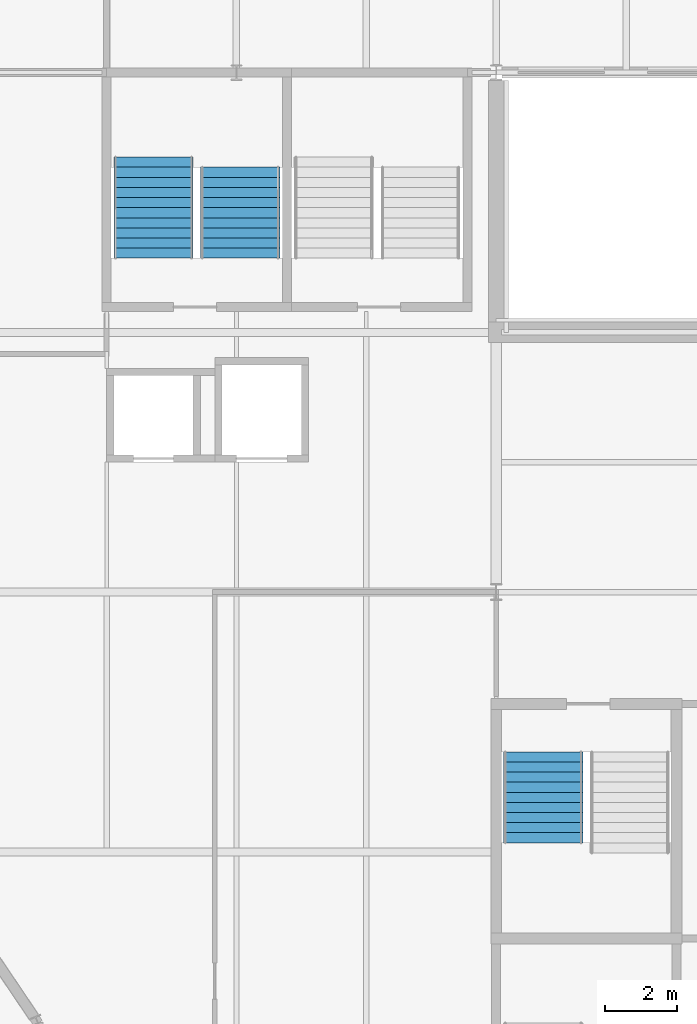
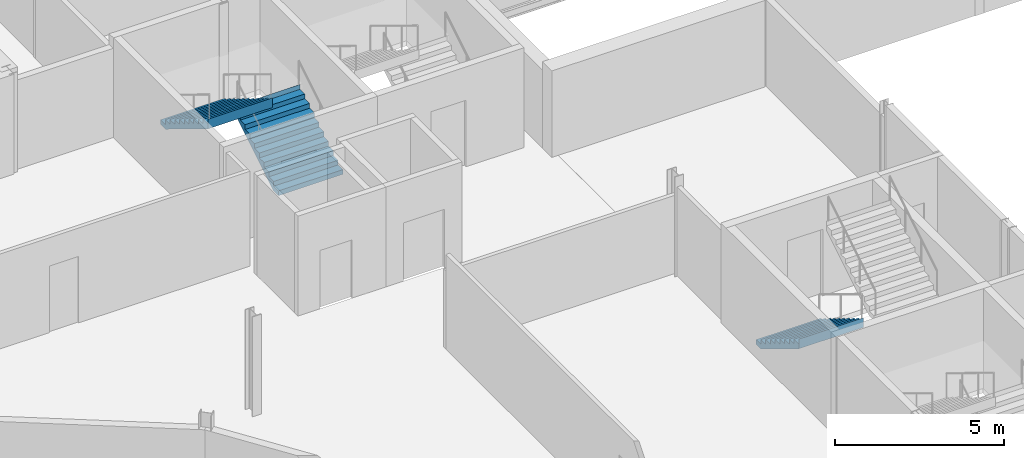
# One storey, part 71 of 90: 3 stair flights, 2 elements without a shape of their own.
"""IFC4 building model written with IfcOpenShell, lengths in metres."""

from ifc_helpers import new_model, si_unit, direction, frame, origin, place, context, subcontext, project, spatial, polyline, outline, extrude, material, type_object, element, aggregate, save


model = new_model("IFC4")

# Units and contexts
model_context = context("Model", 3, precision=1e-05, world=origin(), true_north=direction((0.0, 1.0)))
body_context = subcontext(model_context, "Body", "Model", "MODEL_VIEW")
ifc_project = project(units=[si_unit("LENGTHUNIT", "METRE"), si_unit("AREAUNIT", "SQUARE_METRE"), si_unit("VOLUMEUNIT", "CUBIC_METRE"), si_unit("PLANEANGLEUNIT", "RADIAN"), si_unit("MASSUNIT", "GRAM", prefix="KILO")], contexts=[model_context])

# Site, building, storey
site_placement = place(None, origin())
site = spatial("IfcSite", under=ifc_project, at=site_placement, CompositionType="ELEMENT")
building_placement = place(site_placement, origin())
building = spatial("IfcBuilding", under=site, at=building_placement, Name="Kupolbacken Congress Centre", CompositionType="ELEMENT")
storey_placement = place(building_placement, frame((0.0, 0.0, 3.60009765625)))
storey = spatial("IfcBuildingStorey", under=building, at=storey_placement, Name="L01", CompositionType="ELEMENT", Elevation=3.60009765625)

# Stair, stair flight
ifc_material_1 = material(Name="Concrete C30/37", Category="concrete")
stair_type = type_object("IfcStairType", Name="ST13 stair 2200", PredefinedType="TWO_STRAIGHT_RUN_STAIR", material=ifc_material_1)
stair_1_placement = place(storey_placement, origin())
stair_1 = element("IfcStair", 1, at=stair_1_placement, inside=storey, type_object=stair_type, Name="C/stair/PS1NE/L01", PredefinedType="NOTDEFINED")
ifc_material_2 = material(Name="Concrete C30/37", Category="concrete")
stair_flight_type_1 = type_object("IfcStairFlightType", Name="FL13 stair flight 2200 x 10 risers", PredefinedType="STRAIGHT", material=ifc_material_2)
stair_flight_1_placement = place(storey_placement, frame((72.10009765625, 117.2548828125, 0.0), z_axis=(0.0, 0.0, 1.0), x_axis=(0.0, 1.0, 0.0)))
stair_flight_1 = element("IfcStairFlight", 2, at=stair_flight_1_placement, type_object=stair_flight_type_1, Name="PS1NE flight 1", NumberOfRisers=10, NumberOfTreads=9, PredefinedType="STRAIGHT", RiserHeight=0.171428571, TreadLength=0.28, context=body_context, shape_type="SweptSolid", body=[
    extrude(outline(polyline([(0.0, 0.0), (0.0, 0.0009765625), (0.0, 0.002197265625), (0.0, 0.003173828125), (0.0, 0.004150390625), (0.0, 0.00537109375), (0.0, 0.00634765625), (0.0, 0.007568359375), (0.0, 0.008544921875), (0.0, 0.009521484375), (0.0, 0.0107421875), (0.0, 0.01171875), (0.0, 0.0126953125), (0.0, 0.013916015625), (0.0, 0.014892578125), (0.0, 0.015869140625), (0.0, 0.01708984375), (0.0, 0.01806640625), (0.0, 0.019287109375), (0.0, 0.020263671875), (0.0, 0.021240234375), (0.0, 0.0224609375), (0.0, 0.0234375), (0.0, 0.0244140625), (0.0, 0.025634765625), (0.0, 0.026611328125), (0.0, 0.027587890625), (0.0, 0.02880859375), (0.0, 0.02978515625), (0.0, 0.03076171875), (0.0, 0.031982421875), (0.0, 0.032958984375), (0.0, 0.0341796875), (0.0, 0.03515625), (0.0, 0.0361328125), (0.0, 0.037353515625), (0.0, 0.038330078125), (0.0, 0.039306640625), (0.0, 0.04052734375), (0.0, 0.04150390625), (0.0, 0.04248046875), (0.0, 0.043701171875), (0.0, 0.044677734375), (0.0, 0.0458984375), (0.0, 0.046875), (0.0, 0.0478515625), (0.0, 0.049072265625), (0.0, 0.050048828125), (0.0, 0.051025390625), (0.0, 0.05224609375), (0.0, 0.05322265625), (0.0, 0.05419921875), (0.0, 0.055419921875), (0.0, 0.056396484375), (0.0, 0.0576171875), (0.0, 0.05859375), (0.0, 0.0595703125), (0.0, 0.060791015625), (0.0, 0.061767578125), (0.0, 0.062744140625), (0.0, 0.06396484375), (0.0, 0.06494140625), (0.0, 0.06591796875), (0.0, 0.067138671875), (0.0, 0.068115234375), (0.0, 0.069091796875), (0.0, 0.0703125), (0.0, 0.0712890625), (0.0, 0.072509765625), (0.0, 0.073486328125), (0.0, 0.074462890625), (0.0, 0.07568359375), (0.0, 0.07666015625), (0.0, 0.07763671875), (0.0, 0.078857421875), (0.0, 0.079833984375), (0.0, 0.080810546875), (0.0, 0.08203125), (0.0, 0.0830078125), (0.0, 0.084228515625), (0.0, 0.085205078125), (0.0, 0.086181640625), (0.0, 0.08740234375), (0.0, 0.08837890625), (0.0, 0.08935546875), (0.0, 0.090576171875), (0.0, 0.091552734375), (0.0, 0.092529296875), (0.0, 0.09375), (0.0, 0.0947265625), (0.0, 0.095947265625), (0.0, 0.096923828125), (0.0, 0.097900390625), (0.0, 0.09912109375), (0.0, 0.10009765625), (0.0, 0.10107421875), (0.0, 0.102294921875), (0.0, 0.103271484375), (0.0, 0.104248046875), (0.0, 0.10546875), (0.0, 0.1064453125), (0.0, 0.107421875), (0.0, 0.108642578125), (0.0, 0.109619140625), (0.0, 0.11083984375), (0.0, 0.11181640625), (0.0, 0.11279296875), (0.0, 0.114013671875), (0.0, 0.114990234375), (0.0, 0.115966796875), (0.0, 0.1171875), (0.0, 0.1181640625), (0.0, 0.119140625), (0.0, 0.120361328125), (0.0, 0.121337890625), (0.0, 0.12255859375), (0.0, 0.12353515625), (0.0, 0.12451171875), (0.0, 0.125732421875), (0.0, 0.126708984375), (0.0, 0.127685546875), (0.0, 0.12890625), (0.0, 0.1298828125), (0.0, 0.130859375), (0.0, 0.132080078125), (0.0, 0.133056640625), (0.0, 0.13427734375), (0.0, 0.13525390625), (0.0, 0.13623046875), (0.0, 0.137451171875), (0.0, 0.138427734375), (0.0, 0.139404296875), (0.0, 0.140625), (0.0, 0.1416015625), (0.0, 0.142578125), (0.0, 0.143798828125), (0.0, 0.144775390625), (0.0, 0.145751953125), (0.0, 0.14697265625), (0.0, 0.14794921875), (0.0, 0.149169921875), (0.0, 0.150146484375), (0.0, 0.151123046875), (0.0, 0.15234375), (0.0, 0.1533203125), (0.0, 0.154296875), (0.0, 0.155517578125), (0.0, 0.156494140625), (0.0, 0.157470703125), (0.0, 0.15869140625), (0.0, 0.15966796875), (0.0, 0.160888671875), (0.0, 0.161865234375), (0.0, 0.162841796875), (0.0, 0.1640625), (0.0, 0.1650390625), (0.0, 0.166015625), (0.0, 0.167236328125), (0.0, 0.168212890625), (0.0, 0.169189453125), (0.0, 0.17041015625), (0.0, 0.17138671875), (0.280029296875, 0.17138671875), (0.280029296875, 0.3427734375), (0.56005859375, 0.3427734375), (0.56005859375, 0.514404296875), (0.840087890625, 0.514404296875), (0.840087890625, 0.685791015625), (1.1201171875, 0.685791015625), (1.1201171875, 0.857177734375), (1.39990234375, 0.857177734375), (1.39990234375, 1.028564453125), (1.679931640625, 1.028564453125), (1.679931640625, 1.199951171875), (1.9599609375, 1.199951171875), (1.9599609375, 1.371337890625), (2.239990234375, 1.371337890625), (2.239990234375, 1.54296875), (2.52001953125, 1.54296875), (2.52001953125, 1.71435546875), (2.52197265625, 1.71435546875), (2.52197265625, 1.712158203125), (2.52197265625, 1.7099609375), (2.52197265625, 1.707763671875), (2.52197265625, 1.70556640625), (2.52197265625, 1.70361328125), (2.52197265625, 1.701416015625), (2.52197265625, 1.69921875), (2.52197265625, 1.697021484375), (2.52197265625, 1.69482421875), (2.52197265625, 1.692626953125), (2.52197265625, 1.690673828125), (2.52197265625, 1.6884765625), (2.52197265625, 1.686279296875), (2.52197265625, 1.68408203125), (2.52197265625, 1.681884765625), (2.52197265625, 1.6796875), (2.52197265625, 1.677734375), (2.52197265625, 1.675537109375), (2.52197265625, 1.67333984375), (2.52197265625, 1.671142578125), (2.52197265625, 1.6689453125), (2.52197265625, 1.666748046875), (2.52197265625, 1.664794921875), (2.52197265625, 1.66259765625), (2.52197265625, 1.660400390625), (2.52197265625, 1.658203125), (2.52197265625, 1.656005859375), (2.52197265625, 1.65380859375), (2.52197265625, 1.65185546875), (2.52197265625, 1.649658203125), (2.52197265625, 1.6474609375), (2.52197265625, 1.645263671875), (2.52197265625, 1.64306640625), (2.52197265625, 1.640869140625), (2.52197265625, 1.638916015625), (2.52197265625, 1.63671875), (2.52197265625, 1.634521484375), (2.52197265625, 1.63232421875), (2.52197265625, 1.630126953125), (2.52197265625, 1.6279296875), (2.52197265625, 1.6259765625), (2.52197265625, 1.623779296875), (2.52197265625, 1.62158203125), (2.52197265625, 1.619384765625), (2.52197265625, 1.6171875), (2.52197265625, 1.614990234375), (2.52197265625, 1.613037109375), (2.52197265625, 1.61083984375), (2.52197265625, 1.608642578125), (2.52197265625, 1.6064453125), (2.52197265625, 1.604248046875), (2.52197265625, 1.60205078125), (2.52197265625, 1.60009765625), (2.52197265625, 1.597900390625), (2.52197265625, 1.595703125), (2.52197265625, 1.593505859375), (2.52197265625, 1.59130859375), (2.52197265625, 1.589111328125), (2.52197265625, 1.587158203125), (2.52197265625, 1.5849609375), (2.52197265625, 1.582763671875), (2.52197265625, 1.58056640625), (2.52197265625, 1.578369140625), (2.52197265625, 1.576171875), (2.52197265625, 1.57421875), (2.52197265625, 1.572021484375), (2.52197265625, 1.56982421875), (2.52197265625, 1.567626953125), (2.52197265625, 1.5654296875), (2.52197265625, 1.563232421875), (2.52197265625, 1.561279296875), (2.52197265625, 1.55908203125), (2.52197265625, 1.556884765625), (2.52197265625, 1.5546875), (2.52197265625, 1.552490234375), (2.52197265625, 1.55029296875), (2.52197265625, 1.54833984375), (2.52197265625, 1.546142578125), (2.52197265625, 1.5439453125), (2.52197265625, 1.541748046875), (2.52197265625, 1.53955078125), (2.52197265625, 1.537353515625), (2.52197265625, 1.535400390625), (2.52197265625, 1.533203125), (2.52197265625, 1.531005859375), (2.52197265625, 1.52880859375), (2.52197265625, 1.526611328125), (2.52197265625, 1.5244140625), (2.52197265625, 1.5224609375), (2.52197265625, 1.520263671875), (2.52197265625, 1.51806640625), (2.52197265625, 1.515869140625), (2.52197265625, 1.513671875), (2.52197265625, 1.511474609375), (2.52197265625, 1.509521484375), (2.52197265625, 1.50732421875), (2.52197265625, 1.505126953125), (2.52197265625, 1.5029296875), (2.52197265625, 1.500732421875), (2.52197265625, 1.49853515625), (2.52197265625, 1.49658203125), (2.52197265625, 1.494384765625), (2.52197265625, 1.4921875), (2.52197265625, 1.489990234375), (2.52197265625, 1.48779296875), (2.52197265625, 1.485595703125), (2.52197265625, 1.483642578125), (2.52197265625, 1.4814453125), (2.52197265625, 1.479248046875), (2.52197265625, 1.47705078125), (2.52197265625, 1.474853515625), (2.52197265625, 1.47265625), (2.52197265625, 1.470703125), (2.52197265625, 1.468505859375), (2.52197265625, 1.46630859375), (2.52197265625, 1.464111328125), (2.52197265625, 1.4619140625), (2.52197265625, 1.459716796875), (2.52197265625, 1.457763671875), (2.52197265625, 1.45556640625), (2.52197265625, 1.453369140625), (2.52197265625, 1.451171875), (2.52197265625, 1.448974609375), (2.52197265625, 1.44677734375), (2.52197265625, 1.44482421875), (2.52197265625, 1.442626953125), (2.52197265625, 1.4404296875), (2.52197265625, 1.438232421875), (2.52197265625, 1.43603515625), (2.52197265625, 1.433837890625), (2.52197265625, 1.431884765625), (2.52197265625, 1.4296875), (2.52197265625, 1.427490234375), (2.52197265625, 1.42529296875), (2.52197265625, 1.423095703125), (2.52197265625, 1.4208984375), (2.52197265625, 1.4189453125), (2.52197265625, 1.416748046875), (2.52197265625, 1.41455078125), (2.52197265625, 1.412353515625), (2.52197265625, 1.41015625), (2.52197265625, 1.407958984375), (2.52197265625, 1.406005859375), (2.52197265625, 1.40380859375), (2.52197265625, 1.401611328125), (2.52197265625, 1.3994140625), (2.52197265625, 1.397216796875), (2.52197265625, 1.39501953125), (2.52197265625, 1.39306640625), (2.52197265625, 1.390869140625), (2.52197265625, 1.388671875), (2.52197265625, 1.386474609375), (2.52197265625, 1.38427734375), (2.52197265625, 1.382080078125), (2.52197265625, 1.380126953125), (2.52197265625, 1.3779296875), (2.52197265625, 1.375732421875), (2.52197265625, 1.37353515625), (2.52197265625, 1.371337890625), (2.52197265625, 1.369140625), (2.52197265625, 1.3671875), (0.2890625, 0.0), (0.0, 0.0)])), frame((0.0, 1.10009765625, 0.0), z_axis=(0.0, -1.0, 0.0), x_axis=(1.0, 0.0, 0.0)), (0.0, 0.0, 1.0), 2.199951171875),
])

stair_2_placement = place(storey_placement, origin())
stair_2 = element("IfcStair", 3, at=stair_2_placement, inside=storey, type_object=stair_type, Name="C/stair/LS2/L01", PredefinedType="NOTDEFINED")
stair_flight_2_placement = place(storey_placement, frame((80.5, 103.570068359375, 0.0), z_axis=(0.0, 0.0, 1.0), x_axis=(0.0, -1.0, 0.0)))
stair_flight_2 = element("IfcStairFlight", 4, at=stair_flight_2_placement, type_object=stair_flight_type_1, Name="LS2 flight 1", NumberOfRisers=10, NumberOfTreads=9, PredefinedType="STRAIGHT", RiserHeight=0.171428571, TreadLength=0.28, context=body_context, shape_type="SweptSolid", body=[
    extrude(outline(polyline([(0.0, 0.0), (0.0, 0.0009765625), (0.0, 0.002197265625), (0.0, 0.003173828125), (0.0, 0.004150390625), (0.0, 0.00537109375), (0.0, 0.00634765625), (0.0, 0.007568359375), (0.0, 0.008544921875), (0.0, 0.009521484375), (0.0, 0.0107421875), (0.0, 0.01171875), (0.0, 0.0126953125), (0.0, 0.013916015625), (0.0, 0.014892578125), (0.0, 0.015869140625), (0.0, 0.01708984375), (0.0, 0.01806640625), (0.0, 0.019287109375), (0.0, 0.020263671875), (0.0, 0.021240234375), (0.0, 0.0224609375), (0.0, 0.0234375), (0.0, 0.0244140625), (0.0, 0.025634765625), (0.0, 0.026611328125), (0.0, 0.027587890625), (0.0, 0.02880859375), (0.0, 0.02978515625), (0.0, 0.03076171875), (0.0, 0.031982421875), (0.0, 0.032958984375), (0.0, 0.0341796875), (0.0, 0.03515625), (0.0, 0.0361328125), (0.0, 0.037353515625), (0.0, 0.038330078125), (0.0, 0.039306640625), (0.0, 0.04052734375), (0.0, 0.04150390625), (0.0, 0.04248046875), (0.0, 0.043701171875), (0.0, 0.044677734375), (0.0, 0.0458984375), (0.0, 0.046875), (0.0, 0.0478515625), (0.0, 0.049072265625), (0.0, 0.050048828125), (0.0, 0.051025390625), (0.0, 0.05224609375), (0.0, 0.05322265625), (0.0, 0.05419921875), (0.0, 0.055419921875), (0.0, 0.056396484375), (0.0, 0.0576171875), (0.0, 0.05859375), (0.0, 0.0595703125), (0.0, 0.060791015625), (0.0, 0.061767578125), (0.0, 0.062744140625), (0.0, 0.06396484375), (0.0, 0.06494140625), (0.0, 0.06591796875), (0.0, 0.067138671875), (0.0, 0.068115234375), (0.0, 0.069091796875), (0.0, 0.0703125), (0.0, 0.0712890625), (0.0, 0.072509765625), (0.0, 0.073486328125), (0.0, 0.074462890625), (0.0, 0.07568359375), (0.0, 0.07666015625), (0.0, 0.07763671875), (0.0, 0.078857421875), (0.0, 0.079833984375), (0.0, 0.080810546875), (0.0, 0.08203125), (0.0, 0.0830078125), (0.0, 0.084228515625), (0.0, 0.085205078125), (0.0, 0.086181640625), (0.0, 0.08740234375), (0.0, 0.08837890625), (0.0, 0.08935546875), (0.0, 0.090576171875), (0.0, 0.091552734375), (0.0, 0.092529296875), (0.0, 0.09375), (0.0, 0.0947265625), (0.0, 0.095947265625), (0.0, 0.096923828125), (0.0, 0.097900390625), (0.0, 0.09912109375), (0.0, 0.10009765625), (0.0, 0.10107421875), (0.0, 0.102294921875), (0.0, 0.103271484375), (0.0, 0.104248046875), (0.0, 0.10546875), (0.0, 0.1064453125), (0.0, 0.107421875), (0.0, 0.108642578125), (0.0, 0.109619140625), (0.0, 0.11083984375), (0.0, 0.11181640625), (0.0, 0.11279296875), (0.0, 0.114013671875), (0.0, 0.114990234375), (0.0, 0.115966796875), (0.0, 0.1171875), (0.0, 0.1181640625), (0.0, 0.119140625), (0.0, 0.120361328125), (0.0, 0.121337890625), (0.0, 0.12255859375), (0.0, 0.12353515625), (0.0, 0.12451171875), (0.0, 0.125732421875), (0.0, 0.126708984375), (0.0, 0.127685546875), (0.0, 0.12890625), (0.0, 0.1298828125), (0.0, 0.130859375), (0.0, 0.132080078125), (0.0, 0.133056640625), (0.0, 0.13427734375), (0.0, 0.13525390625), (0.0, 0.13623046875), (0.0, 0.137451171875), (0.0, 0.138427734375), (0.0, 0.139404296875), (0.0, 0.140625), (0.0, 0.1416015625), (0.0, 0.142578125), (0.0, 0.143798828125), (0.0, 0.144775390625), (0.0, 0.145751953125), (0.0, 0.14697265625), (0.0, 0.14794921875), (0.0, 0.149169921875), (0.0, 0.150146484375), (0.0, 0.151123046875), (0.0, 0.15234375), (0.0, 0.1533203125), (0.0, 0.154296875), (0.0, 0.155517578125), (0.0, 0.156494140625), (0.0, 0.157470703125), (0.0, 0.15869140625), (0.0, 0.15966796875), (0.0, 0.160888671875), (0.0, 0.161865234375), (0.0, 0.162841796875), (0.0, 0.1640625), (0.0, 0.1650390625), (0.0, 0.166015625), (0.0, 0.167236328125), (0.0, 0.168212890625), (0.0, 0.169189453125), (0.0, 0.17041015625), (0.0, 0.17138671875), (0.280029296875, 0.17138671875), (0.280029296875, 0.3427734375), (0.56005859375, 0.3427734375), (0.56005859375, 0.514404296875), (0.840087890625, 0.514404296875), (0.840087890625, 0.685791015625), (1.1201171875, 0.685791015625), (1.1201171875, 0.857177734375), (1.39990234375, 0.857177734375), (1.39990234375, 1.028564453125), (1.679931640625, 1.028564453125), (1.679931640625, 1.199951171875), (1.9599609375, 1.199951171875), (1.9599609375, 1.371337890625), (2.239990234375, 1.371337890625), (2.239990234375, 1.54296875), (2.52001953125, 1.54296875), (2.52001953125, 1.71435546875), (2.52197265625, 1.71435546875), (2.52197265625, 1.712158203125), (2.52197265625, 1.7099609375), (2.52197265625, 1.707763671875), (2.52197265625, 1.70556640625), (2.52197265625, 1.70361328125), (2.52197265625, 1.701416015625), (2.52197265625, 1.69921875), (2.52197265625, 1.697021484375), (2.52197265625, 1.69482421875), (2.52197265625, 1.692626953125), (2.52197265625, 1.690673828125), (2.52197265625, 1.6884765625), (2.52197265625, 1.686279296875), (2.52197265625, 1.68408203125), (2.52197265625, 1.681884765625), (2.52197265625, 1.6796875), (2.52197265625, 1.677734375), (2.52197265625, 1.675537109375), (2.52197265625, 1.67333984375), (2.52197265625, 1.671142578125), (2.52197265625, 1.6689453125), (2.52197265625, 1.666748046875), (2.52197265625, 1.664794921875), (2.52197265625, 1.66259765625), (2.52197265625, 1.660400390625), (2.52197265625, 1.658203125), (2.52197265625, 1.656005859375), (2.52197265625, 1.65380859375), (2.52197265625, 1.65185546875), (2.52197265625, 1.649658203125), (2.52197265625, 1.6474609375), (2.52197265625, 1.645263671875), (2.52197265625, 1.64306640625), (2.52197265625, 1.640869140625), (2.52197265625, 1.638916015625), (2.52197265625, 1.63671875), (2.52197265625, 1.634521484375), (2.52197265625, 1.63232421875), (2.52197265625, 1.630126953125), (2.52197265625, 1.6279296875), (2.52197265625, 1.6259765625), (2.52197265625, 1.623779296875), (2.52197265625, 1.62158203125), (2.52197265625, 1.619384765625), (2.52197265625, 1.6171875), (2.52197265625, 1.614990234375), (2.52197265625, 1.613037109375), (2.52197265625, 1.61083984375), (2.52197265625, 1.608642578125), (2.52197265625, 1.6064453125), (2.52197265625, 1.604248046875), (2.52197265625, 1.60205078125), (2.52197265625, 1.60009765625), (2.52197265625, 1.597900390625), (2.52197265625, 1.595703125), (2.52197265625, 1.593505859375), (2.52197265625, 1.59130859375), (2.52197265625, 1.589111328125), (2.52197265625, 1.587158203125), (2.52197265625, 1.5849609375), (2.52197265625, 1.582763671875), (2.52197265625, 1.58056640625), (2.52197265625, 1.578369140625), (2.52197265625, 1.576171875), (2.52197265625, 1.57421875), (2.52197265625, 1.572021484375), (2.52197265625, 1.56982421875), (2.52197265625, 1.567626953125), (2.52197265625, 1.5654296875), (2.52197265625, 1.563232421875), (2.52197265625, 1.561279296875), (2.52197265625, 1.55908203125), (2.52197265625, 1.556884765625), (2.52197265625, 1.5546875), (2.52197265625, 1.552490234375), (2.52197265625, 1.55029296875), (2.52197265625, 1.54833984375), (2.52197265625, 1.546142578125), (2.52197265625, 1.5439453125), (2.52197265625, 1.541748046875), (2.52197265625, 1.53955078125), (2.52197265625, 1.537353515625), (2.52197265625, 1.535400390625), (2.52197265625, 1.533203125), (2.52197265625, 1.531005859375), (2.52197265625, 1.52880859375), (2.52197265625, 1.526611328125), (2.52197265625, 1.5244140625), (2.52197265625, 1.5224609375), (2.52197265625, 1.520263671875), (2.52197265625, 1.51806640625), (2.52197265625, 1.515869140625), (2.52197265625, 1.513671875), (2.52197265625, 1.511474609375), (2.52197265625, 1.509521484375), (2.52197265625, 1.50732421875), (2.52197265625, 1.505126953125), (2.52197265625, 1.5029296875), (2.52197265625, 1.500732421875), (2.52197265625, 1.49853515625), (2.52197265625, 1.49658203125), (2.52197265625, 1.494384765625), (2.52197265625, 1.4921875), (2.52197265625, 1.489990234375), (2.52197265625, 1.48779296875), (2.52197265625, 1.485595703125), (2.52197265625, 1.483642578125), (2.52197265625, 1.4814453125), (2.52197265625, 1.479248046875), (2.52197265625, 1.47705078125), (2.52197265625, 1.474853515625), (2.52197265625, 1.47265625), (2.52197265625, 1.470703125), (2.52197265625, 1.468505859375), (2.52197265625, 1.46630859375), (2.52197265625, 1.464111328125), (2.52197265625, 1.4619140625), (2.52197265625, 1.459716796875), (2.52197265625, 1.457763671875), (2.52197265625, 1.45556640625), (2.52197265625, 1.453369140625), (2.52197265625, 1.451171875), (2.52197265625, 1.448974609375), (2.52197265625, 1.44677734375), (2.52197265625, 1.44482421875), (2.52197265625, 1.442626953125), (2.52197265625, 1.4404296875), (2.52197265625, 1.438232421875), (2.52197265625, 1.43603515625), (2.52197265625, 1.433837890625), (2.52197265625, 1.431884765625), (2.52197265625, 1.4296875), (2.52197265625, 1.427490234375), (2.52197265625, 1.42529296875), (2.52197265625, 1.423095703125), (2.52197265625, 1.4208984375), (2.52197265625, 1.4189453125), (2.52197265625, 1.416748046875), (2.52197265625, 1.41455078125), (2.52197265625, 1.412353515625), (2.52197265625, 1.41015625), (2.52197265625, 1.407958984375), (2.52197265625, 1.406005859375), (2.52197265625, 1.40380859375), (2.52197265625, 1.401611328125), (2.52197265625, 1.3994140625), (2.52197265625, 1.397216796875), (2.52197265625, 1.39501953125), (2.52197265625, 1.39306640625), (2.52197265625, 1.390869140625), (2.52197265625, 1.388671875), (2.52197265625, 1.386474609375), (2.52197265625, 1.38427734375), (2.52197265625, 1.382080078125), (2.52197265625, 1.380126953125), (2.52197265625, 1.3779296875), (2.52197265625, 1.375732421875), (2.52197265625, 1.37353515625), (2.52197265625, 1.371337890625), (2.52197265625, 1.369140625), (2.52197265625, 1.3671875), (0.2890625, 0.0), (0.0, 0.0)])), frame((0.0, 1.10009765625, 0.0), z_axis=(0.0, -1.0, 0.0), x_axis=(1.0, 0.0, 0.0)), (0.0, 0.0, 1.0), 2.199951171875),
])
aggregate(stair_2, [stair_flight_2])

# Stair flight
ifc_material_3 = material(Name="Concrete C30/37", Category="concrete")
stair_flight_type_2 = type_object("IfcStairFlightType", Name="FL14 stair flight 2200 x 11 risers", PredefinedType="STRAIGHT", material=ifc_material_3)
stair_flight_3_placement = place(storey_placement, frame((69.699951171875, 120.054931640625, 1.714111328125), z_axis=(0.0, 0.0, 1.0), x_axis=(0.0, -1.0, 0.0)))
stair_flight_3 = element("IfcStairFlight", 5, at=stair_flight_3_placement, type_object=stair_flight_type_2, Name="PS1NE flight 2", NumberOfRisers=11, NumberOfTreads=10, PredefinedType="STRAIGHT", RiserHeight=0.171428571, TreadLength=0.28, context=body_context, shape_type="SweptSolid", body=[
    extrude(outline(polyline([(0.0, 0.0), (0.0, 0.0009765625), (0.0, 0.002197265625), (0.0, 0.003173828125), (0.0, 0.004150390625), (0.0, 0.00537109375), (0.0, 0.00634765625), (0.0, 0.007568359375), (0.0, 0.008544921875), (0.0, 0.009521484375), (0.0, 0.0107421875), (0.0, 0.01171875), (0.0, 0.0126953125), (0.0, 0.013916015625), (0.0, 0.014892578125), (0.0, 0.015869140625), (0.0, 0.01708984375), (0.0, 0.01806640625), (0.0, 0.019287109375), (0.0, 0.020263671875), (0.0, 0.021240234375), (0.0, 0.0224609375), (0.0, 0.0234375), (0.0, 0.0244140625), (0.0, 0.025634765625), (0.0, 0.026611328125), (0.0, 0.027587890625), (0.0, 0.02880859375), (0.0, 0.02978515625), (0.0, 0.03076171875), (0.0, 0.031982421875), (0.0, 0.032958984375), (0.0, 0.0341796875), (0.0, 0.03515625), (0.0, 0.0361328125), (0.0, 0.037353515625), (0.0, 0.038330078125), (0.0, 0.039306640625), (0.0, 0.04052734375), (0.0, 0.04150390625), (0.0, 0.04248046875), (0.0, 0.043701171875), (0.0, 0.044677734375), (0.0, 0.0458984375), (0.0, 0.046875), (0.0, 0.0478515625), (0.0, 0.049072265625), (0.0, 0.050048828125), (0.0, 0.051025390625), (0.0, 0.05224609375), (0.0, 0.05322265625), (0.0, 0.05419921875), (0.0, 0.055419921875), (0.0, 0.056396484375), (0.0, 0.0576171875), (0.0, 0.05859375), (0.0, 0.0595703125), (0.0, 0.060791015625), (0.0, 0.061767578125), (0.0, 0.062744140625), (0.0, 0.06396484375), (0.0, 0.06494140625), (0.0, 0.06591796875), (0.0, 0.067138671875), (0.0, 0.068115234375), (0.0, 0.069091796875), (0.0, 0.0703125), (0.0, 0.0712890625), (0.0, 0.072509765625), (0.0, 0.073486328125), (0.0, 0.074462890625), (0.0, 0.07568359375), (0.0, 0.07666015625), (0.0, 0.07763671875), (0.0, 0.078857421875), (0.0, 0.079833984375), (0.0, 0.080810546875), (0.0, 0.08203125), (0.0, 0.0830078125), (0.0, 0.084228515625), (0.0, 0.085205078125), (0.0, 0.086181640625), (0.0, 0.08740234375), (0.0, 0.08837890625), (0.0, 0.08935546875), (0.0, 0.090576171875), (0.0, 0.091552734375), (0.0, 0.092529296875), (0.0, 0.09375), (0.0, 0.0947265625), (0.0, 0.095947265625), (0.0, 0.096923828125), (0.0, 0.097900390625), (0.0, 0.09912109375), (0.0, 0.10009765625), (0.0, 0.10107421875), (0.0, 0.102294921875), (0.0, 0.103271484375), (0.0, 0.104248046875), (0.0, 0.10546875), (0.0, 0.1064453125), (0.0, 0.107421875), (0.0, 0.108642578125), (0.0, 0.109619140625), (0.0, 0.11083984375), (0.0, 0.11181640625), (0.0, 0.11279296875), (0.0, 0.114013671875), (0.0, 0.114990234375), (0.0, 0.115966796875), (0.0, 0.1171875), (0.0, 0.1181640625), (0.0, 0.119140625), (0.0, 0.120361328125), (0.0, 0.121337890625), (0.0, 0.12255859375), (0.0, 0.12353515625), (0.0, 0.12451171875), (0.0, 0.125732421875), (0.0, 0.126708984375), (0.0, 0.127685546875), (0.0, 0.12890625), (0.0, 0.1298828125), (0.0, 0.130859375), (0.0, 0.132080078125), (0.0, 0.133056640625), (0.0, 0.13427734375), (0.0, 0.13525390625), (0.0, 0.13623046875), (0.0, 0.137451171875), (0.0, 0.138427734375), (0.0, 0.139404296875), (0.0, 0.140625), (0.0, 0.1416015625), (0.0, 0.142578125), (0.0, 0.143798828125), (0.0, 0.144775390625), (0.0, 0.145751953125), (0.0, 0.14697265625), (0.0, 0.14794921875), (0.0, 0.149169921875), (0.0, 0.150146484375), (0.0, 0.151123046875), (0.0, 0.15234375), (0.0, 0.1533203125), (0.0, 0.154296875), (0.0, 0.155517578125), (0.0, 0.156494140625), (0.0, 0.157470703125), (0.0, 0.15869140625), (0.0, 0.15966796875), (0.0, 0.160888671875), (0.0, 0.161865234375), (0.0, 0.162841796875), (0.0, 0.1640625), (0.0, 0.1650390625), (0.0, 0.166015625), (0.0, 0.167236328125), (0.0, 0.168212890625), (0.0, 0.169189453125), (0.0, 0.17041015625), (0.0, 0.17138671875), (0.280029296875, 0.17138671875), (0.280029296875, 0.3427734375), (0.56005859375, 0.3427734375), (0.56005859375, 0.514404296875), (0.840087890625, 0.514404296875), (0.840087890625, 0.685791015625), (1.1201171875, 0.685791015625), (1.1201171875, 0.857177734375), (1.39990234375, 0.857177734375), (1.39990234375, 1.028564453125), (1.679931640625, 1.028564453125), (1.679931640625, 1.199951171875), (1.9599609375, 1.199951171875), (1.9599609375, 1.371337890625), (2.239990234375, 1.371337890625), (2.239990234375, 1.54296875), (2.52001953125, 1.54296875), (2.52001953125, 1.71435546875), (2.800048828125, 1.71435546875), (2.800048828125, 1.8857421875), (2.802001953125, 1.8857421875), (2.802001953125, 1.883544921875), (2.802001953125, 1.88134765625), (2.802001953125, 1.879150390625), (2.802001953125, 1.877197265625), (2.802001953125, 1.875), (2.802001953125, 1.872802734375), (2.802001953125, 1.87060546875), (2.802001953125, 1.868408203125), (2.802001953125, 1.8662109375), (2.802001953125, 1.8642578125), (2.802001953125, 1.862060546875), (2.802001953125, 1.85986328125), (2.802001953125, 1.857666015625), (2.802001953125, 1.85546875), (2.802001953125, 1.853271484375), (2.802001953125, 1.851318359375), (2.802001953125, 1.84912109375), (2.802001953125, 1.846923828125), (2.802001953125, 1.8447265625), (2.802001953125, 1.842529296875), (2.802001953125, 1.84033203125), (2.802001953125, 1.83837890625), (2.802001953125, 1.836181640625), (2.802001953125, 1.833984375), (2.802001953125, 1.831787109375), (2.802001953125, 1.82958984375), (2.802001953125, 1.827392578125), (2.802001953125, 1.825439453125), (2.802001953125, 1.8232421875), (2.802001953125, 1.821044921875), (2.802001953125, 1.81884765625), (2.802001953125, 1.816650390625), (2.802001953125, 1.814453125), (2.802001953125, 1.8125), (2.802001953125, 1.810302734375), (2.802001953125, 1.80810546875), (2.802001953125, 1.805908203125), (2.802001953125, 1.8037109375), (2.802001953125, 1.801513671875), (2.802001953125, 1.799560546875), (2.802001953125, 1.79736328125), (2.802001953125, 1.795166015625), (2.802001953125, 1.79296875), (2.802001953125, 1.790771484375), (2.802001953125, 1.78857421875), (2.802001953125, 1.78662109375), (2.802001953125, 1.784423828125), (2.802001953125, 1.7822265625), (2.802001953125, 1.780029296875), (2.802001953125, 1.77783203125), (2.802001953125, 1.775634765625), (2.802001953125, 1.773681640625), (2.802001953125, 1.771484375), (2.802001953125, 1.769287109375), (2.802001953125, 1.76708984375), (2.802001953125, 1.764892578125), (2.802001953125, 1.7626953125), (2.802001953125, 1.7607421875), (2.802001953125, 1.758544921875), (2.802001953125, 1.75634765625), (2.802001953125, 1.754150390625), (2.802001953125, 1.751953125), (2.802001953125, 1.749755859375), (2.802001953125, 1.747802734375), (2.802001953125, 1.74560546875), (2.802001953125, 1.743408203125), (2.802001953125, 1.7412109375), (2.802001953125, 1.739013671875), (2.802001953125, 1.73681640625), (2.802001953125, 1.73486328125), (2.802001953125, 1.732666015625), (2.802001953125, 1.73046875), (2.802001953125, 1.728271484375), (2.802001953125, 1.72607421875), (2.802001953125, 1.723876953125), (2.802001953125, 1.721923828125), (2.802001953125, 1.7197265625), (2.802001953125, 1.717529296875), (2.802001953125, 1.71533203125), (2.802001953125, 1.713134765625), (2.802001953125, 1.7109375), (2.802001953125, 1.708984375), (2.802001953125, 1.706787109375), (2.802001953125, 1.70458984375), (2.802001953125, 1.702392578125), (2.802001953125, 1.7001953125), (2.802001953125, 1.697998046875), (2.802001953125, 1.696044921875), (2.802001953125, 1.69384765625), (2.802001953125, 1.691650390625), (2.802001953125, 1.689453125), (2.802001953125, 1.687255859375), (2.802001953125, 1.68505859375), (2.802001953125, 1.68310546875), (2.802001953125, 1.680908203125), (2.802001953125, 1.6787109375), (2.802001953125, 1.676513671875), (2.802001953125, 1.67431640625), (2.802001953125, 1.672119140625), (2.802001953125, 1.670166015625), (2.802001953125, 1.66796875), (2.802001953125, 1.665771484375), (2.802001953125, 1.66357421875), (2.802001953125, 1.661376953125), (2.802001953125, 1.6591796875), (2.802001953125, 1.6572265625), (2.802001953125, 1.655029296875), (2.802001953125, 1.65283203125), (2.802001953125, 1.650634765625), (2.802001953125, 1.6484375), (2.802001953125, 1.646240234375), (2.802001953125, 1.644287109375), (2.802001953125, 1.64208984375), (2.802001953125, 1.639892578125), (2.802001953125, 1.6376953125), (2.802001953125, 1.635498046875), (2.802001953125, 1.63330078125), (2.802001953125, 1.63134765625), (2.802001953125, 1.629150390625), (2.802001953125, 1.626953125), (2.802001953125, 1.624755859375), (2.802001953125, 1.62255859375), (2.802001953125, 1.620361328125), (2.802001953125, 1.618408203125), (2.802001953125, 1.6162109375), (2.802001953125, 1.614013671875), (2.802001953125, 1.61181640625), (2.802001953125, 1.609619140625), (2.802001953125, 1.607421875), (2.802001953125, 1.60546875), (2.802001953125, 1.603271484375), (2.802001953125, 1.60107421875), (2.802001953125, 1.598876953125), (2.802001953125, 1.5966796875), (2.802001953125, 1.594482421875), (2.802001953125, 1.592529296875), (2.802001953125, 1.59033203125), (2.802001953125, 1.588134765625), (2.802001953125, 1.5859375), (2.802001953125, 1.583740234375), (2.802001953125, 1.58154296875), (2.802001953125, 1.57958984375), (2.802001953125, 1.577392578125), (2.802001953125, 1.5751953125), (2.802001953125, 1.572998046875), (2.802001953125, 1.57080078125), (2.802001953125, 1.568603515625), (2.802001953125, 1.566650390625), (2.802001953125, 1.564453125), (2.802001953125, 1.562255859375), (2.802001953125, 1.56005859375), (2.802001953125, 1.557861328125), (2.802001953125, 1.5556640625), (2.802001953125, 1.5537109375), (2.802001953125, 1.551513671875), (2.802001953125, 1.54931640625), (2.802001953125, 1.547119140625), (2.802001953125, 1.544921875), (2.802001953125, 1.542724609375), (2.802001953125, 1.540771484375), (2.802001953125, 1.53857421875), (0.2890625, 0.0), (0.0, 0.0)])), frame((0.0, 1.10009765625, 0.0), z_axis=(0.0, -1.0, 0.0), x_axis=(1.0, 0.0, 0.0)), (0.0, 0.0, 1.0), 2.199951171875),
])

aggregate(stair_1, [stair_flight_1, stair_flight_3])

save(model, "model.ifc")
